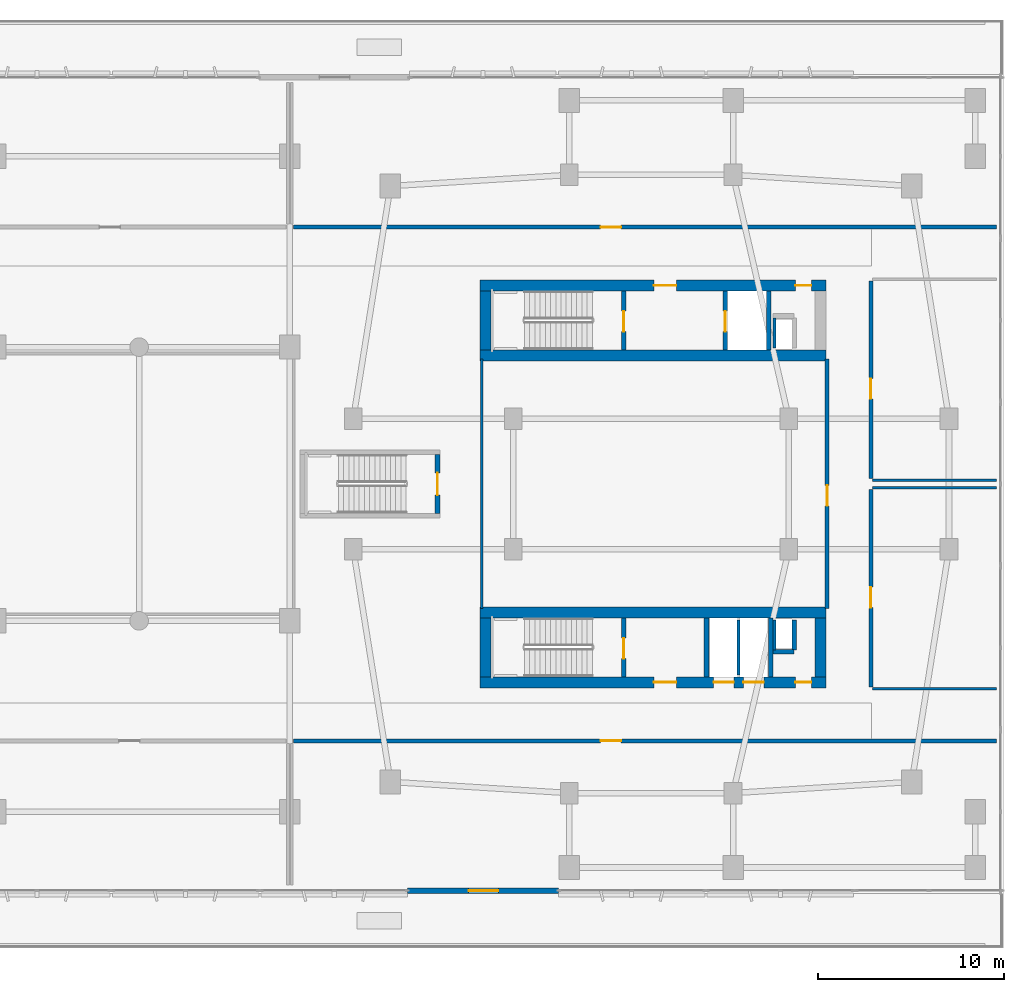
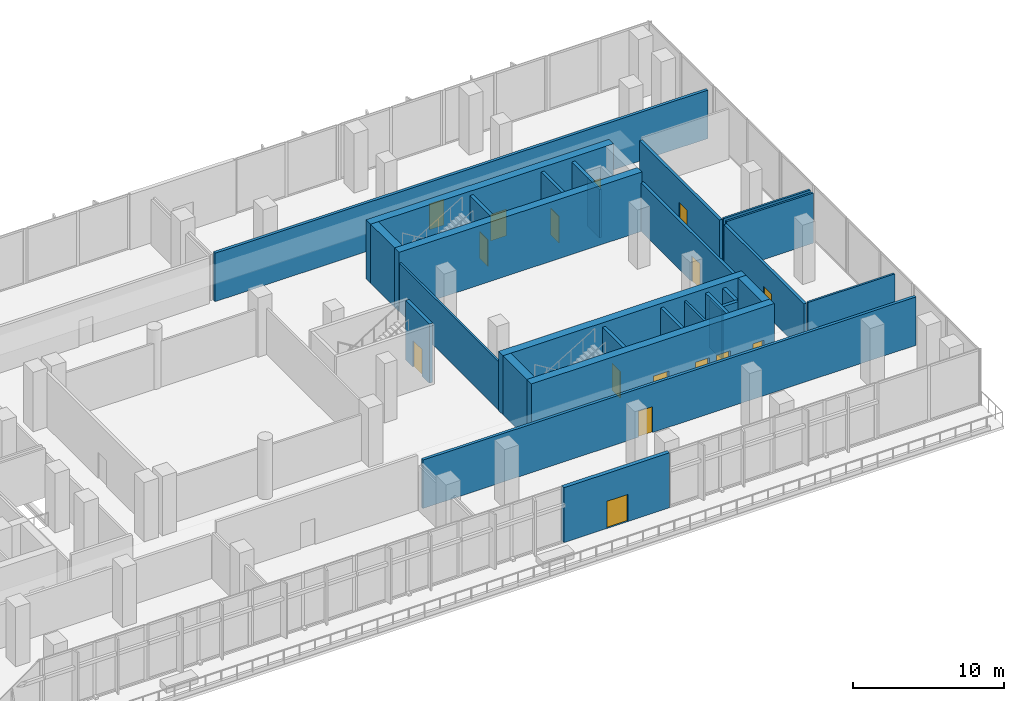
# One storey, part 15 of 30: 29 walls, 16 doors, 16 openings.
"""IFC4 building model written with IfcOpenShell, lengths in metres."""

from ifc_helpers import new_model, si_unit, derived_unit, direction, frame, frame_2d, origin, place, context, subcontext, project, spatial, rectangle, extrude, material, layer, layer_set, type_object, element, fill, save


model = new_model("IFC4")

# Units and contexts
model_context = context("Model", 3, precision=1e-05, world=origin(), true_north=direction((0.0, 1.0)))
body_context = subcontext(model_context, "Body", "Model", "MODEL_VIEW")
ifc_project = project(units=[si_unit("LENGTHUNIT", "METRE"), si_unit("AREAUNIT", "SQUARE_METRE"), si_unit("VOLUMEUNIT", "CUBIC_METRE"), si_unit("PLANEANGLEUNIT", "RADIAN"), si_unit("MASSUNIT", "GRAM", prefix="KILO"), derived_unit("THERMALTRANSMITTANCEUNIT", [(si_unit("POWERUNIT", "WATT"), 1), (si_unit("LENGTHUNIT", "METRE"), -2), (si_unit("THERMODYNAMICTEMPERATUREUNIT", "KELVIN"), -1)])], contexts=[model_context])

# Site, building, storey
site_placement = place(None, origin())
site = spatial("IfcSite", under=ifc_project, at=site_placement, CompositionType="ELEMENT")
building_placement = place(site_placement, origin())
building = spatial("IfcBuilding", under=site, at=building_placement, Name="Kivonza Crest Hotel", CompositionType="ELEMENT")
storey_placement = place(building_placement, frame((0.0, 0.0, 10.199951171875)))
storey = spatial("IfcBuildingStorey", under=building, at=storey_placement, Name="L02", CompositionType="ELEMENT", Elevation=10.199951171875)

# Wall, opening, door
ifc_material_1 = material(Name="Autoclaved aerated concrete blockwork", Category="masonry")
ifc_layer_1 = layer(ifc_material_1, 0.219970703125)
ifc_layer_set_1 = layer_set([ifc_layer_1], Name="Autoclaved aerated concrete blockwork")
wall_type_1 = type_object("IfcWallType", Name="WL-ACOU-220", PredefinedType="SOLIDWALL", material=ifc_layer_set_1)
wall_1_placement = place(storey_placement, frame((57.800048828125, 11.199951171875, 0.0), z_axis=(0.0, 0.0, 1.0), x_axis=(1.0, 0.0, 0.0)))
wall_1 = element("IfcWall", 1, at=wall_1_placement, inside=storey, type_object=wall_type_1, Name="L02 interior partition WA-L02-RES-TER-N", PredefinedType="SOLIDWALL", context=body_context, shape_type="SweptSolid", body=[
    extrude(rectangle(XDim=37.75, YDim=0.219970703125, at=frame_2d((18.875, 0.0))), origin(), (0.0, 0.0, 1.0), 3.925048828125),
])
opening_1_placement = place(wall_1_placement, frame((16.48193359375, 0.0, 0.0)))
opening_1 = element("IfcOpeningElement", 2, at=opening_1_placement, cuts=wall_1, Name="Opening DF-60M", PredefinedType="OPENING", context=body_context, shape_type="SweptSolid", body=[
    extrude(rectangle(XDim=1.10009765625, YDim=2.10009765625, at=frame_2d((0.550048828125, 1.050048828125))), frame((0.0, 0.1201171875, 0.0), z_axis=(0.0, -1.0, 0.0), x_axis=(1.0, 0.0, 0.0)), (0.0, 0.0, 1.0), 0.239990234375),
])
ifc_material_2 = material(Name="Hardwood timber oak", Category="wood")
door_type_1 = type_object("IfcDoorType", Name="DR-FD60-1100", OperationType="NOTDEFINED", PredefinedType="DOOR", material=ifc_material_2)
door_1_placement = place(opening_1_placement, frame((1.10009765625, 0.0, 0.0), z_axis=(0.0, 0.0, 1.0), x_axis=(-1.0, 0.0, 0.0)))
door_1 = element("IfcDoor", 3, at=door_1_placement, inside=storey, type_object=door_type_1, Name="L02 South Terrace Banquet Salon door", OperationType="SINGLE_SWING_RIGHT", OverallHeight=2.10009765625, OverallWidth=1.10009765625, PredefinedType="DOOR", context=body_context, shape_type="SweptSolid", body=[
    extrude(rectangle(XDim=1.10009765625, YDim=2.10009765625, at=frame_2d((0.550048828125, 1.050048828125))), frame((0.0, 0.02490234375, 0.0), z_axis=(0.0, -1.0, 0.0), x_axis=(1.0, 0.0, 0.0)), (0.0, 0.0, 1.0), 0.050048828125),
])
fill(opening_1, door_1)

wall_2_placement = place(storey_placement, frame((57.800048828125, 38.800048828125, 0.0), z_axis=(0.0, 0.0, 1.0), x_axis=(1.0, 0.0, 0.0)))
wall_2 = element("IfcWall", 4, at=wall_2_placement, inside=storey, type_object=wall_type_1, Name="L02 interior partition WA-L02-NTH-SAL2-S", PredefinedType="SOLIDWALL", context=body_context, shape_type="SweptSolid", body=[
    extrude(rectangle(XDim=37.75, YDim=0.219970703125, at=frame_2d((18.875, 0.0))), origin(), (0.0, 0.0, 1.0), 3.925048828125),
])
opening_2_placement = place(wall_2_placement, frame((16.48193359375, 0.0, 0.0)))
opening_2 = element("IfcOpeningElement", 5, at=opening_2_placement, cuts=wall_2, Name="Opening DF-60M", PredefinedType="OPENING", context=body_context, shape_type="SweptSolid", body=[
    extrude(rectangle(XDim=1.10009765625, YDim=2.10009765625, at=frame_2d((0.550048828125, 1.050048828125))), frame((0.0, 0.1201171875, 0.0), z_axis=(0.0, -1.0, 0.0), x_axis=(1.0, 0.0, 0.0)), (0.0, 0.0, 1.0), 0.239990234375),
])
door_2_placement = place(opening_2_placement, origin())
door_2 = element("IfcDoor", 6, at=door_2_placement, inside=storey, type_object=door_type_1, Name="L02 North Terrace Reception East door", OperationType="SINGLE_SWING_LEFT", OverallHeight=2.10009765625, OverallWidth=1.10009765625, PredefinedType="DOOR", context=body_context, shape_type="SweptSolid", body=[
    extrude(rectangle(XDim=1.10009765625, YDim=2.10009765625, at=frame_2d((0.550048828125, 1.050048828125))), frame((0.0, 0.02490234375, 0.0), z_axis=(0.0, -1.0, 0.0), x_axis=(1.0, 0.0, 0.0)), (0.0, 0.0, 1.0), 0.050048828125),
])
fill(opening_2, door_2)

wall_3_placement = place(storey_placement, frame((86.449951171875, 18.300048828125, 0.0), z_axis=(0.0, 0.0, 1.0), x_axis=(0.0, 1.0, 0.0)))
wall_3 = element("IfcWall", 7, at=wall_3_placement, inside=storey, type_object=wall_type_1, Name="L02 interior partition WA-L02-RES-COW-E", PredefinedType="SOLIDWALL", context=body_context, shape_type="SweptSolid", body=[
    extrude(rectangle(XDim=13.39990234375, YDim=0.219970703125, at=frame_2d((6.699951171875, 0.0))), origin(), (0.0, 0.0, 1.0), 3.925048828125),
])
opening_3_placement = place(wall_3_placement, frame((5.52490234375, 0.0, 0.0)))
opening_3 = element("IfcOpeningElement", 8, at=opening_3_placement, cuts=wall_3, Name="Opening DF-60M", PredefinedType="OPENING", context=body_context, shape_type="SweptSolid", body=[
    extrude(rectangle(XDim=1.10009765625, YDim=2.10009765625, at=frame_2d((0.550048828125, 1.050048828125))), frame((0.0, 0.1201171875, 0.0), z_axis=(0.0, -1.0, 0.0), x_axis=(1.0, 0.0, 0.0)), (0.0, 0.0, 1.0), 0.239990234375),
])
door_3_placement = place(opening_3_placement, origin())
door_3 = element("IfcDoor", 9, at=door_3_placement, inside=storey, type_object=door_type_1, Name="L02 Resident Co-Working Suite door", OperationType="SINGLE_SWING_LEFT", OverallHeight=2.10009765625, OverallWidth=1.10009765625, PredefinedType="DOOR", context=body_context, shape_type="SweptSolid", body=[
    extrude(rectangle(XDim=1.10009765625, YDim=2.10009765625, at=frame_2d((0.550048828125, 1.050048828125))), frame((0.0, 0.02490234375, 0.0), z_axis=(0.0, -1.0, 0.0), x_axis=(1.0, 0.0, 0.0)), (0.0, 0.0, 1.0), 0.050048828125),
])
fill(opening_3, door_3)

wall_4_placement = place(storey_placement, frame((88.800048828125, 14.10009765625, 0.0), z_axis=(0.0, 0.0, 1.0), x_axis=(0.0, 1.0, 0.0)))
wall_4 = element("IfcWall", 10, at=wall_4_placement, inside=storey, type_object=wall_type_1, Name="L02 interior partition WA-L02-E-GAL2S-W", PredefinedType="SOLIDWALL", context=body_context, shape_type="SweptSolid", body=[
    extrude(rectangle(XDim=10.599853515625, YDim=0.219970703125, at=frame_2d((5.2998046875, 0.0))), origin(), (0.0, 0.0, 1.0), 3.925048828125),
])
opening_4_placement = place(wall_4_placement, frame((4.264892578125, 0.0, 0.0)))
opening_4 = element("IfcOpeningElement", 11, at=opening_4_placement, cuts=wall_4, Name="Opening DF-60M", PredefinedType="OPENING", context=body_context, shape_type="SweptSolid", body=[
    extrude(rectangle(XDim=1.10009765625, YDim=2.10009765625, at=frame_2d((0.550048828125, 1.050048828125))), frame((0.0, 0.1201171875, 0.0), z_axis=(0.0, -1.0, 0.0), x_axis=(1.0, 0.0, 0.0)), (0.0, 0.0, 1.0), 0.239990234375),
])
door_4_placement = place(opening_4_placement, frame((1.10009765625, 0.0, 0.0), z_axis=(0.0, 0.0, 1.0), x_axis=(-1.0, 0.0, 0.0)))
door_4 = element("IfcDoor", 12, at=door_4_placement, inside=storey, type_object=door_type_1, Name="L02 East Podium Reading Salon door", OperationType="SINGLE_SWING_LEFT", OverallHeight=2.10009765625, OverallWidth=1.10009765625, PredefinedType="DOOR", context=body_context, shape_type="SweptSolid", body=[
    extrude(rectangle(XDim=1.10009765625, YDim=2.10009765625, at=frame_2d((0.550048828125, 1.050048828125))), frame((0.0, 0.02490234375, 0.0), z_axis=(0.0, -1.0, 0.0), x_axis=(1.0, 0.0, 0.0)), (0.0, 0.0, 1.0), 0.050048828125),
])
fill(opening_4, door_4)

wall_5_placement = place(storey_placement, frame((88.800048828125, 25.300048828125, 0.0), z_axis=(0.0, 0.0, 1.0), x_axis=(0.0, 1.0, 0.0)))
wall_5 = element("IfcWall", 13, at=wall_5_placement, inside=storey, type_object=wall_type_1, Name="L02 interior partition WA-L02-E-GAL2N-W", PredefinedType="SOLIDWALL", context=body_context, shape_type="SweptSolid", body=[
    extrude(rectangle(XDim=10.599853515625, YDim=0.219970703125, at=frame_2d((5.2998046875, 0.0))), origin(), (0.0, 0.0, 1.0), 3.925048828125),
])
opening_5_placement = place(wall_5_placement, frame((4.264892578125, 0.0, 0.0)))
opening_5 = element("IfcOpeningElement", 14, at=opening_5_placement, cuts=wall_5, Name="Opening DF-60M", PredefinedType="OPENING", context=body_context, shape_type="SweptSolid", body=[
    extrude(rectangle(XDim=1.10009765625, YDim=2.10009765625, at=frame_2d((0.550048828125, 1.050048828125))), frame((0.0, 0.1201171875, 0.0), z_axis=(0.0, -1.0, 0.0), x_axis=(1.0, 0.0, 0.0)), (0.0, 0.0, 1.0), 0.239990234375),
])
door_5_placement = place(opening_5_placement, frame((1.10009765625, 0.0, 0.0), z_axis=(0.0, 0.0, 1.0), x_axis=(-1.0, 0.0, 0.0)))
door_5 = element("IfcDoor", 15, at=door_5_placement, inside=storey, type_object=door_type_1, Name="L02 East Podium Tea Salon door", OperationType="SINGLE_SWING_RIGHT", OverallHeight=2.10009765625, OverallWidth=1.10009765625, PredefinedType="DOOR", context=body_context, shape_type="SweptSolid", body=[
    extrude(rectangle(XDim=1.10009765625, YDim=2.10009765625, at=frame_2d((0.550048828125, 1.050048828125))), frame((0.0, 0.02490234375, 0.0), z_axis=(0.0, -1.0, 0.0), x_axis=(1.0, 0.0, 0.0)), (0.0, 0.0, 1.0), 0.050048828125),
])
fill(opening_5, door_5)

# Wall
ifc_material_3 = material(Name="Concrete C60/75", Category="concrete")
ifc_layer_2 = layer(ifc_material_3, 0.60009765625)
ifc_layer_set_2 = layer_set([ifc_layer_2], Name="Concrete C60/75")
wall_type_2 = type_object("IfcWallType", Name="WL-CORE-600", PredefinedType="SHEAR", material=ifc_layer_set_2)
wall_6_placement = place(storey_placement, frame((67.800048828125, 31.89990234375, 0.0), z_axis=(0.0, 0.0, 1.0), x_axis=(1.0, 0.0, 0.0)))
element("IfcWall", 16, at=wall_6_placement, inside=storey, type_object=wall_type_2, Name="Core wall T2-N South L02", PredefinedType="SHEAR", context=body_context, shape_type="SweptSolid", body=[
    extrude(rectangle(XDim=18.599853515625, YDim=0.60009765625, at=frame_2d((9.2998046875, 0.0))), origin(), (0.0, 0.0, 1.0), 4.800048828125),
])

# Wall, openings, doors
wall_7_placement = place(storey_placement, frame((67.800048828125, 35.659912109375, 0.0), z_axis=(0.0, 0.0, 1.0), x_axis=(1.0, 0.0, 0.0)))
wall_7 = element("IfcWall", 17, at=wall_7_placement, inside=storey, type_object=wall_type_2, Name="Core wall T2-N North L02", PredefinedType="SHEAR", context=body_context, shape_type="SweptSolid", body=[
    extrude(rectangle(XDim=18.599853515625, YDim=0.60009765625, at=frame_2d((9.2998046875, 0.0))), origin(), (0.0, 0.0, 1.0), 4.800048828125),
])
opening_6_placement = place(wall_7_placement, frame((9.35009765625, 0.0, 0.0)))
opening_6 = element("IfcOpeningElement", 18, at=opening_6_placement, cuts=wall_7, Name="Opening DF-60", PredefinedType="OPENING", context=body_context, shape_type="SweptSolid", body=[
    extrude(rectangle(XDim=1.199951171875, YDim=2.14990234375, at=frame_2d((0.60009765625, 1.074951171875))), frame((0.0, 0.31005859375, 0.0), z_axis=(0.0, -1.0, 0.0), x_axis=(1.0, 0.0, 0.0)), (0.0, 0.0, 1.0), 0.6201171875),
])
opening_7_placement = place(wall_7_placement, frame((16.949951171875, 0.0, 0.0)))
opening_7 = element("IfcOpeningElement", 19, at=opening_7_placement, cuts=wall_7, Name="Opening DF-60R", PredefinedType="OPENING", context=body_context, shape_type="SweptSolid", body=[
    extrude(rectangle(XDim=0.85009765625, YDim=2.10009765625, at=frame_2d((0.425048828125, 1.050048828125))), frame((0.0, 0.31005859375, 0.0), z_axis=(0.0, -1.0, 0.0), x_axis=(1.0, 0.0, 0.0)), (0.0, 0.0, 1.0), 0.6201171875),
])
door_type_2 = type_object("IfcDoorType", Name="DR-FD60-1200", OperationType="NOTDEFINED", PredefinedType="DOOR", material=ifc_material_2)
door_6_placement = place(opening_6_placement, origin())
door_6 = element("IfcDoor", 20, at=door_6_placement, inside=storey, type_object=door_type_2, Name="L02 T2-N firefighting lobby fire door", OperationType="SINGLE_SWING_RIGHT", OverallHeight=2.14990234375, OverallWidth=1.199951171875, PredefinedType="DOOR", context=body_context, shape_type="SweptSolid", body=[
    extrude(rectangle(XDim=1.199951171875, YDim=2.14990234375, at=frame_2d((0.60009765625, 1.074951171875))), frame((0.0, 0.02490234375, 0.0), z_axis=(0.0, -1.0, 0.0), x_axis=(1.0, 0.0, 0.0)), (0.0, 0.0, 1.0), 0.050048828125),
])
fill(opening_6, door_6)
door_type_3 = type_object("IfcDoorType", Name="DR-FD60-850", OperationType="NOTDEFINED", PredefinedType="DOOR", material=ifc_material_2)
door_7_placement = place(opening_7_placement, origin())
door_7 = element("IfcDoor", 21, at=door_7_placement, inside=storey, type_object=door_type_3, Name="L02 T2-N core room door", OperationType="SINGLE_SWING_RIGHT", OverallHeight=2.10009765625, OverallWidth=0.85009765625, PredefinedType="DOOR", context=body_context, shape_type="SweptSolid", body=[
    extrude(rectangle(XDim=0.85009765625, YDim=2.10009765625, at=frame_2d((0.425048828125, 1.050048828125))), frame((0.0, 0.02490234375, 0.0), z_axis=(0.0, -1.0, 0.0), x_axis=(1.0, 0.0, 0.0)), (0.0, 0.0, 1.0), 0.050048828125),
])
fill(opening_7, door_7)

# Wall
wall_8_placement = place(storey_placement, frame((68.10009765625, 32.199951171875, 0.0), z_axis=(0.0, 0.0, 1.0), x_axis=(0.0, 1.0, 0.0)))
element("IfcWall", 22, at=wall_8_placement, inside=storey, type_object=wall_type_2, Name="Core wall T2-N West L02", PredefinedType="SHEAR", context=body_context, shape_type="SweptSolid", body=[
    extrude(rectangle(XDim=3.16015625, YDim=0.60009765625, at=frame_2d((1.580078125, 0.0))), origin(), (0.0, 0.0, 1.0), 4.800048828125),
])

# Wall, openings, doors
wall_9_placement = place(storey_placement, frame((67.800048828125, 14.340087890625, 0.0), z_axis=(0.0, 0.0, 1.0), x_axis=(1.0, 0.0, 0.0)))
wall_9 = element("IfcWall", 23, at=wall_9_placement, inside=storey, type_object=wall_type_2, Name="Core wall T2-S South L02", PredefinedType="SHEAR", context=body_context, shape_type="SweptSolid", body=[
    extrude(rectangle(XDim=18.599853515625, YDim=0.60009765625, at=frame_2d((9.2998046875, 0.0))), origin(), (0.0, 0.0, 1.0), 4.800048828125),
])
opening_8_placement = place(wall_9_placement, frame((9.35009765625, 0.0, 0.0)))
opening_8 = element("IfcOpeningElement", 24, at=opening_8_placement, cuts=wall_9, Name="Opening DF-60", PredefinedType="OPENING", context=body_context, shape_type="SweptSolid", body=[
    extrude(rectangle(XDim=1.199951171875, YDim=2.14990234375, at=frame_2d((0.60009765625, 1.074951171875))), frame((0.0, 0.31005859375, 0.0), z_axis=(0.0, -1.0, 0.0), x_axis=(1.0, 0.0, 0.0)), (0.0, 0.0, 1.0), 0.6201171875),
])
opening_9_placement = place(wall_9_placement, frame((16.949951171875, 0.0, 0.0)))
opening_9 = element("IfcOpeningElement", 25, at=opening_9_placement, cuts=wall_9, Name="Opening DF-60R", PredefinedType="OPENING", context=body_context, shape_type="SweptSolid", body=[
    extrude(rectangle(XDim=0.85009765625, YDim=2.10009765625, at=frame_2d((0.425048828125, 1.050048828125))), frame((0.0, 0.31005859375, 0.0), z_axis=(0.0, -1.0, 0.0), x_axis=(1.0, 0.0, 0.0)), (0.0, 0.0, 1.0), 0.6201171875),
])
opening_10_placement = place(wall_9_placement, frame((12.550048828125, 0.0, 0.0)))
opening_10 = element("IfcOpeningElement", 26, at=opening_10_placement, cuts=wall_9, Name="Opening LD-120", PredefinedType="OPENING", context=body_context, shape_type="SweptSolid", body=[
    extrude(rectangle(XDim=1.10009765625, YDim=2.14990234375, at=frame_2d((0.550048828125, 1.074951171875))), frame((0.0, 0.31005859375, 0.0), z_axis=(0.0, -1.0, 0.0), x_axis=(1.0, 0.0, 0.0)), (0.0, 0.0, 1.0), 0.6201171875),
])
opening_11_placement = place(wall_9_placement, frame((14.14990234375, 0.0, 0.0)))
opening_11 = element("IfcOpeningElement", 27, at=opening_11_placement, cuts=wall_9, Name="Opening LD-120", PredefinedType="OPENING", context=body_context, shape_type="SweptSolid", body=[
    extrude(rectangle(XDim=1.10009765625, YDim=2.14990234375, at=frame_2d((0.550048828125, 1.074951171875))), frame((0.0, 0.31005859375, 0.0), z_axis=(0.0, -1.0, 0.0), x_axis=(1.0, 0.0, 0.0)), (0.0, 0.0, 1.0), 0.6201171875),
])
door_8_placement = place(opening_8_placement, frame((1.199951171875, 0.0, 0.0), z_axis=(0.0, 0.0, 1.0), x_axis=(-1.0, 0.0, 0.0)))
door_8 = element("IfcDoor", 28, at=door_8_placement, inside=storey, type_object=door_type_2, Name="L02 T2-S firefighting lobby fire door", OperationType="SINGLE_SWING_LEFT", OverallHeight=2.14990234375, OverallWidth=1.199951171875, PredefinedType="DOOR", context=body_context, shape_type="SweptSolid", body=[
    extrude(rectangle(XDim=1.199951171875, YDim=2.14990234375, at=frame_2d((0.60009765625, 1.074951171875))), frame((0.0, 0.02490234375, 0.0), z_axis=(0.0, -1.0, 0.0), x_axis=(1.0, 0.0, 0.0)), (0.0, 0.0, 1.0), 0.050048828125),
])
fill(opening_8, door_8)
door_9_placement = place(opening_9_placement, frame((0.85009765625, 0.0, 0.0), z_axis=(0.0, 0.0, 1.0), x_axis=(-1.0, 0.0, 0.0)))
door_9 = element("IfcDoor", 29, at=door_9_placement, inside=storey, type_object=door_type_3, Name="L02 T2-S core room door", OperationType="SINGLE_SWING_RIGHT", OverallHeight=2.10009765625, OverallWidth=0.85009765625, PredefinedType="DOOR", context=body_context, shape_type="SweptSolid", body=[
    extrude(rectangle(XDim=0.85009765625, YDim=2.10009765625, at=frame_2d((0.425048828125, 1.050048828125))), frame((0.0, 0.02490234375, 0.0), z_axis=(0.0, -1.0, 0.0), x_axis=(1.0, 0.0, 0.0)), (0.0, 0.0, 1.0), 0.050048828125),
])
fill(opening_9, door_9)
ifc_material_4 = material(Name="Stainless steel", Category="steel")
door_type_4 = type_object("IfcDoorType", Name="DR-LD120-1100", OperationType="NOTDEFINED", PredefinedType="DOOR", material=ifc_material_4)
door_10_placement = place(opening_10_placement, frame((1.10009765625, 0.0, 0.0), z_axis=(0.0, 0.0, 1.0), x_axis=(-1.0, 0.0, 0.0)))
door_10 = element("IfcDoor", 30, at=door_10_placement, inside=storey, type_object=door_type_4, Name="L02 PL-T2-1 passenger lift sliding landing door", OperationType="DOUBLE_DOOR_SLIDING", OverallHeight=2.14990234375, OverallWidth=1.10009765625, PredefinedType="DOOR", context=body_context, shape_type="SweptSolid", body=[
    extrude(rectangle(XDim=1.10009765625, YDim=2.14990234375, at=frame_2d((0.550048828125, 1.074951171875))), frame((0.0, 0.02490234375, 0.0), z_axis=(0.0, -1.0, 0.0), x_axis=(1.0, 0.0, 0.0)), (0.0, 0.0, 1.0), 0.050048828125),
])
fill(opening_10, door_10)
door_11_placement = place(opening_11_placement, frame((1.10009765625, 0.0, 0.0), z_axis=(0.0, 0.0, 1.0), x_axis=(-1.0, 0.0, 0.0)))
door_11 = element("IfcDoor", 31, at=door_11_placement, inside=storey, type_object=door_type_4, Name="L02 PL-T2-2 passenger lift sliding landing door", OperationType="DOUBLE_DOOR_SLIDING", OverallHeight=2.14990234375, OverallWidth=1.10009765625, PredefinedType="DOOR", context=body_context, shape_type="SweptSolid", body=[
    extrude(rectangle(XDim=1.10009765625, YDim=2.14990234375, at=frame_2d((0.550048828125, 1.074951171875))), frame((0.0, 0.02490234375, 0.0), z_axis=(0.0, -1.0, 0.0), x_axis=(1.0, 0.0, 0.0)), (0.0, 0.0, 1.0), 0.050048828125),
])
fill(opening_11, door_11)

# Walls
wall_10_placement = place(storey_placement, frame((67.800048828125, 18.10009765625, 0.0), z_axis=(0.0, 0.0, 1.0), x_axis=(1.0, 0.0, 0.0)))
element("IfcWall", 32, at=wall_10_placement, inside=storey, type_object=wall_type_2, Name="Core wall T2-S North L02", PredefinedType="SHEAR", context=body_context, shape_type="SweptSolid", body=[
    extrude(rectangle(XDim=18.599853515625, YDim=0.60009765625, at=frame_2d((9.2998046875, 0.0))), origin(), (0.0, 0.0, 1.0), 4.800048828125),
])
for number, where, z_axis, x_axis, name in (
    (33, (68.10009765625, 14.639892578125, 0.0), (0.0, 0.0, 1.0), (0.0, 1.0, 0.0), "Core wall T2-S West L02"),
    (34, (86.10009765625, 14.639892578125, 0.0), (0.0, 0.0, 1.0), (0.0, 1.0, 0.0), "Core wall T2-S East L02"),
):
    element("IfcWall", number, at=place(storey_placement, frame(where, z_axis=z_axis, x_axis=x_axis)), inside=storey, type_object=wall_type_2, Name=name, PredefinedType="SHEAR", context=body_context, shape_type="SweptSolid", body=[
        extrude(rectangle(XDim=3.16015625, YDim=0.60009765625, at=frame_2d((1.580078125, 0.0))), origin(), (0.0, 0.0, 1.0), 4.800048828125),
    ])

# Wall, opening, door
ifc_material_5 = material(Name="Precast concrete C40/50", Category="concrete")
ifc_layer_3 = layer(ifc_material_5, 0.300048828125)
ifc_layer_set_3 = layer_set([ifc_layer_3], Name="Precast concrete C40/50")
wall_type_3 = type_object("IfcWallType", Name="WL-EXT-300", PredefinedType="STANDARD", material=ifc_layer_set_3)
wall_11_placement = place(storey_placement, frame((63.91796875, 3.14990234375, 0.0), z_axis=(0.0, 0.0, 1.0), x_axis=(1.0, 0.0, 0.0)))
wall_11 = element("IfcWall", 35, at=wall_11_placement, inside=storey, type_object=wall_type_3, Name="L02 POD exterior insulated wall 9", PredefinedType="STANDARD", context=body_context, shape_type="SweptSolid", body=[
    extrude(rectangle(XDim=8.096923828125, YDim=0.300048828125, at=frame_2d((4.04833984375, 0.0))), origin(), (0.0, 0.0, 1.0), 4.449951171875),
])
opening_12_placement = place(wall_11_placement, frame((3.281982421875, 0.0, 0.0)))
opening_12 = element("IfcOpeningElement", 36, at=opening_12_placement, cuts=wall_11, Name="Opening DT-160", PredefinedType="OPENING", context=body_context, shape_type="SweptSolid", body=[
    extrude(rectangle(XDim=1.60009765625, YDim=2.199951171875, at=frame_2d((0.800048828125, 1.10009765625))), frame((0.0, 0.16015625, 0.0), z_axis=(0.0, -1.0, 0.0), x_axis=(1.0, 0.0, 0.0)), (0.0, 0.0, 1.0), 0.320068359375),
])
ifc_material_6 = material(Name="Anodised bronze aluminium and laminated safety glass", Category="aluminium")
door_type_5 = type_object("IfcDoorType", Name="DR-TERR-1600", OperationType="NOTDEFINED", PredefinedType="DOOR", material=ifc_material_6)
door_12_placement = place(opening_12_placement, frame((1.60009765625, 0.0, 0.0), z_axis=(0.0, 0.0, 1.0), x_axis=(-1.0, 0.0, 0.0)))
door_12 = element("IfcDoor", 37, at=door_12_placement, inside=storey, type_object=door_type_5, Name="L02 South podium terrace access door", OperationType="DOUBLE_DOOR_SINGLE_SWING", OverallHeight=2.199951171875, OverallWidth=1.60009765625, PredefinedType="DOOR", context=body_context, shape_type="SweptSolid", body=[
    extrude(rectangle(XDim=1.60009765625, YDim=2.199951171875, at=frame_2d((0.800048828125, 1.10009765625))), frame((0.0, 0.02490234375, 0.0), z_axis=(0.0, -1.0, 0.0), x_axis=(1.0, 0.0, 0.0)), (0.0, 0.0, 1.0), 0.050048828125),
])
fill(opening_12, door_12)

# Walls
ifc_material_7 = material(Name="Concrete blockwork fire-compartment wall", Category="masonry")
ifc_layer_4 = layer(ifc_material_7, 0.25)
ifc_layer_set_4 = layer_set([ifc_layer_4], Name="Concrete blockwork fire-compartment wall")
wall_type_4 = type_object("IfcWallType", Name="WL-FIRE-250", PredefinedType="SOLIDWALL", material=ifc_layer_set_4)
wall_12_placement = place(storey_placement, frame((84.679931640625, 16.080078125, 0.0), z_axis=(0.0, 0.0, 1.0), x_axis=(0.0, 1.0, 0.0)))
element("IfcWall", 38, at=wall_12_placement, inside=storey, type_object=wall_type_4, Name="L02 interior partition WA-L02-T2-S-MEPR-E", PredefinedType="SOLIDWALL", context=body_context, shape_type="SweptSolid", body=[
    extrude(rectangle(XDim=1.619873046875, YDim=0.25, at=frame_2d((0.81005859375, 0.0))), origin(), (0.0, 0.0, 1.0), 4.449951171875),
])
wall_13_placement = place(storey_placement, frame((83.550048828125, 15.97998046875, 0.0), z_axis=(0.0, 0.0, 1.0), x_axis=(1.0, 0.0, 0.0)))
element("IfcWall", 39, at=wall_13_placement, inside=storey, type_object=wall_type_4, Name="L02 interior partition WA-L02-T2-S-MEPR-H", PredefinedType="SOLIDWALL", context=body_context, shape_type="SweptSolid", body=[
    extrude(rectangle(XDim=1.1298828125, YDim=0.25, at=frame_2d((0.56494140625, 0.0))), origin(), (0.0, 0.0, 1.0), 4.449951171875),
])
ifc_material_8 = material(Name="Twin-stud acoustic gypsum board partition", Category="gypsum")
ifc_layer_5 = layer(ifc_material_8, 0.14990234375)
ifc_layer_set_5 = layer_set([ifc_layer_5], Name="Twin-stud acoustic gypsum board partition")
wall_type_5 = type_object("IfcWallType", Name="WL-PART-150", PredefinedType="PARTITIONING", material=ifc_layer_set_5)
for number, where, z_axis, x_axis, name in (
    (40, (83.6298828125, 32.300048828125, 0.0), (0.0, 0.0, 1.0), (0.0, 1.0, 0.0), "L02 interior partition WA-L02-T2-N-MEPR-W"),
    (41, (83.6298828125, 16.080078125, 0.0), (0.0, 0.0, 1.0), (0.0, 1.0, 0.0), "L02 interior partition WA-L02-T2-S-MEPR-W"),
):
    element("IfcWall", number, at=place(storey_placement, frame(where, z_axis=z_axis, x_axis=x_axis)), inside=storey, type_object=wall_type_5, Name=name, PredefinedType="PARTITIONING", context=body_context, shape_type="SweptSolid", body=[
        extrude(rectangle(XDim=1.619873046875, YDim=0.14990234375, at=frame_2d((0.81005859375, 0.0))), origin(), (0.0, 0.0, 1.0), 3.925048828125),
    ])
wall_14_placement = place(storey_placement, frame((81.699951171875, 14.739990234375, 0.0), z_axis=(0.0, 0.0, 1.0), x_axis=(0.0, 1.0, 0.0)))
element("IfcWall", 42, at=wall_14_placement, inside=storey, type_object=wall_type_5, Name="L02 interior partition WP-L02-T2-S-BSH-1", PredefinedType="PARTITIONING", context=body_context, shape_type="SweptSolid", body=[
    extrude(rectangle(XDim=2.9599609375, YDim=0.14990234375, at=frame_2d((1.47998046875, 0.0))), origin(), (0.0, 0.0, 1.0), 4.449951171875),
])
wall_15_placement = place(storey_placement, frame((67.89990234375, 18.300048828125, 0.0), z_axis=(0.0, 0.0, 1.0), x_axis=(0.0, 1.0, 0.0)))
element("IfcWall", 43, at=wall_15_placement, inside=storey, type_object=wall_type_5, Name="L02 interior partition WP-L02-RES-COW-BW", PredefinedType="PARTITIONING", context=body_context, shape_type="SweptSolid", body=[
    extrude(rectangle(XDim=13.39990234375, YDim=0.14990234375, at=frame_2d((6.699951171875, 0.0))), origin(), (0.0, 0.0, 1.0), 3.925048828125),
])
for number, where, z_axis, x_axis, name in (
    (44, (88.89990234375, 14.0, 0.0), (0.0, 0.0, 1.0), (1.0, 0.0, 0.0), "L02 interior partition WP-L02-E-GAL2S-BS"),
    (45, (88.89990234375, 24.800048828125, 0.0), (0.0, 0.0, 1.0), (1.0, 0.0, 0.0), "L02 interior partition WP-L02-E-GAL2S-BN"),
    (46, (88.89990234375, 25.199951171875, 0.0), (0.0, 0.0, 1.0), (1.0, 0.0, 0.0), "L02 interior partition WP-L02-E-GAL2N-BS"),
):
    element("IfcWall", number, at=place(storey_placement, frame(where, z_axis=z_axis, x_axis=x_axis)), inside=storey, type_object=wall_type_5, Name=name, PredefinedType="PARTITIONING", context=body_context, shape_type="SweptSolid", body=[
        extrude(rectangle(XDim=6.650146484375, YDim=0.14990234375, at=frame_2d((3.3251953125, 0.0))), origin(), (0.0, 0.0, 1.0), 4.06494140625),
    ])

# Wall, opening, door
ifc_material_9 = material(Name="Concrete C50/60", Category="concrete")
ifc_layer_6 = layer(ifc_material_9, 0.25)
ifc_layer_set_6 = layer_set([ifc_layer_6], Name="Concrete C50/60")
wall_type_6 = type_object("IfcWallType", Name="WL-SHAFT-250", PredefinedType="STANDARD", material=ifc_layer_set_6)
wall_16_placement = place(storey_placement, frame((75.52490234375, 32.199951171875, 0.0), z_axis=(0.0, 0.0, 1.0), x_axis=(0.0, 1.0, 0.0)))
wall_16 = element("IfcWall", 47, at=wall_16_placement, inside=storey, type_object=wall_type_6, Name="Core shaft wall T2-N STAIR L02", PredefinedType="STANDARD", context=body_context, shape_type="SweptSolid", body=[
    extrude(rectangle(XDim=3.16015625, YDim=0.25, at=frame_2d((1.580078125, 0.0))), origin(), (0.0, 0.0, 1.0), 4.449951171875),
])
opening_13_placement = place(wall_16_placement, frame((0.97998046875, 0.0, 0.0)))
opening_13 = element("IfcOpeningElement", 48, at=opening_13_placement, cuts=wall_16, Name="Opening DF-120", PredefinedType="OPENING", context=body_context, shape_type="SweptSolid", body=[
    extrude(rectangle(XDim=1.10009765625, YDim=2.14990234375, at=frame_2d((0.550048828125, 1.074951171875))), frame((0.0, 0.135009765625, 0.0), z_axis=(0.0, -1.0, 0.0), x_axis=(1.0, 0.0, 0.0)), (0.0, 0.0, 1.0), 0.27001953125),
])
ifc_material_10 = material(Name="Galvanised steel", Category="steel")
door_type_6 = type_object("IfcDoorType", Name="DR-FD120-1100", OperationType="NOTDEFINED", PredefinedType="DOOR", material=ifc_material_10)
door_13_placement = place(opening_13_placement, frame((1.10009765625, 0.0, 0.0), z_axis=(0.0, 0.0, 1.0), x_axis=(-1.0, 0.0, 0.0)))
door_13 = element("IfcDoor", 49, at=door_13_placement, inside=storey, type_object=door_type_6, Name="L02 T2-N stair fire door", OperationType="SINGLE_SWING_LEFT", OverallHeight=2.14990234375, OverallWidth=1.10009765625, PredefinedType="DOOR", context=body_context, shape_type="SweptSolid", body=[
    extrude(rectangle(XDim=1.10009765625, YDim=2.14990234375, at=frame_2d((0.550048828125, 1.074951171875))), frame((0.0, 0.02490234375, 0.0), z_axis=(0.0, -1.0, 0.0), x_axis=(1.0, 0.0, 0.0)), (0.0, 0.0, 1.0), 0.050048828125),
])
fill(opening_13, door_13)

wall_17_placement = place(storey_placement, frame((80.97509765625, 32.199951171875, 0.0), z_axis=(0.0, 0.0, 1.0), x_axis=(0.0, 1.0, 0.0)))
wall_17 = element("IfcWall", 50, at=wall_17_placement, inside=storey, type_object=wall_type_6, Name="Core shaft wall T2-N FFL-W L02", PredefinedType="STANDARD", context=body_context, shape_type="SweptSolid", body=[
    extrude(rectangle(XDim=3.16015625, YDim=0.25, at=frame_2d((1.580078125, 0.0))), origin(), (0.0, 0.0, 1.0), 4.449951171875),
])
opening_14_placement = place(wall_17_placement, frame((0.97998046875, 0.0, 0.0)))
opening_14 = element("IfcOpeningElement", 51, at=opening_14_placement, cuts=wall_17, Name="Opening LD-120", PredefinedType="OPENING", context=body_context, shape_type="SweptSolid", body=[
    extrude(rectangle(XDim=1.10009765625, YDim=2.14990234375, at=frame_2d((0.550048828125, 1.074951171875))), frame((0.0, 0.135009765625, 0.0), z_axis=(0.0, -1.0, 0.0), x_axis=(1.0, 0.0, 0.0)), (0.0, 0.0, 1.0), 0.27001953125),
])
door_14_placement = place(opening_14_placement, origin())
door_14 = element("IfcDoor", 52, at=door_14_placement, inside=storey, type_object=door_type_4, Name="L02 FFL-T2 firefighting lift sliding landing door", OperationType="DOUBLE_DOOR_SLIDING", OverallHeight=2.14990234375, OverallWidth=1.10009765625, PredefinedType="DOOR", context=body_context, shape_type="SweptSolid", body=[
    extrude(rectangle(XDim=1.10009765625, YDim=2.14990234375, at=frame_2d((0.550048828125, 1.074951171875))), frame((0.0, 0.02490234375, 0.0), z_axis=(0.0, -1.0, 0.0), x_axis=(1.0, 0.0, 0.0)), (0.0, 0.0, 1.0), 0.050048828125),
])
fill(opening_14, door_14)

# Wall
wall_18_placement = place(storey_placement, frame((83.324951171875, 32.199951171875, 0.0), z_axis=(0.0, 0.0, 1.0), x_axis=(0.0, 1.0, 0.0)))
element("IfcWall", 53, at=wall_18_placement, inside=storey, type_object=wall_type_6, Name="Core shaft wall T2-N FFL-E L02", PredefinedType="STANDARD", context=body_context, shape_type="SweptSolid", body=[
    extrude(rectangle(XDim=3.16015625, YDim=0.25, at=frame_2d((1.580078125, 0.0))), origin(), (0.0, 0.0, 1.0), 4.449951171875),
])

# Wall, opening, door
wall_19_placement = place(storey_placement, frame((75.52490234375, 14.639892578125, 0.0), z_axis=(0.0, 0.0, 1.0), x_axis=(0.0, 1.0, 0.0)))
wall_19 = element("IfcWall", 54, at=wall_19_placement, inside=storey, type_object=wall_type_6, Name="Core shaft wall T2-S STAIR L02", PredefinedType="STANDARD", context=body_context, shape_type="SweptSolid", body=[
    extrude(rectangle(XDim=3.16015625, YDim=0.25, at=frame_2d((1.580078125, 0.0))), origin(), (0.0, 0.0, 1.0), 4.449951171875),
])
opening_15_placement = place(wall_19_placement, frame((0.97998046875, 0.0, 0.0)))
opening_15 = element("IfcOpeningElement", 55, at=opening_15_placement, cuts=wall_19, Name="Opening DF-120", PredefinedType="OPENING", context=body_context, shape_type="SweptSolid", body=[
    extrude(rectangle(XDim=1.10009765625, YDim=2.14990234375, at=frame_2d((0.550048828125, 1.074951171875))), frame((0.0, 0.135009765625, 0.0), z_axis=(0.0, -1.0, 0.0), x_axis=(1.0, 0.0, 0.0)), (0.0, 0.0, 1.0), 0.27001953125),
])
door_15_placement = place(opening_15_placement, frame((1.10009765625, 0.0, 0.0), z_axis=(0.0, 0.0, 1.0), x_axis=(-1.0, 0.0, 0.0)))
door_15 = element("IfcDoor", 56, at=door_15_placement, inside=storey, type_object=door_type_6, Name="L02 T2-S stair fire door", OperationType="SINGLE_SWING_RIGHT", OverallHeight=2.14990234375, OverallWidth=1.10009765625, PredefinedType="DOOR", context=body_context, shape_type="SweptSolid", body=[
    extrude(rectangle(XDim=1.10009765625, YDim=2.14990234375, at=frame_2d((0.550048828125, 1.074951171875))), frame((0.0, 0.02490234375, 0.0), z_axis=(0.0, -1.0, 0.0), x_axis=(1.0, 0.0, 0.0)), (0.0, 0.0, 1.0), 0.050048828125),
])
fill(opening_15, door_15)

# Walls
for number, where, z_axis, x_axis, name in (
    (57, (79.97509765625, 14.639892578125, 0.0), (0.0, 0.0, 1.0), (0.0, 1.0, 0.0), "Core shaft wall T2-S BANK-W L02"),
    (58, (83.425048828125, 14.639892578125, 0.0), (0.0, 0.0, 1.0), (0.0, 1.0, 0.0), "Core shaft wall T2-S BANK-E L02"),
):
    element("IfcWall", number, at=place(storey_placement, frame(where, z_axis=z_axis, x_axis=x_axis)), inside=storey, type_object=wall_type_6, Name=name, PredefinedType="STANDARD", context=body_context, shape_type="SweptSolid", body=[
        extrude(rectangle(XDim=3.16015625, YDim=0.25, at=frame_2d((1.580078125, 0.0))), origin(), (0.0, 0.0, 1.0), 4.449951171875),
    ])

# Wall, opening, door
wall_20_placement = place(storey_placement, frame((65.52490234375, 23.419921875, 0.0), z_axis=(0.0, 0.0, 1.0), x_axis=(0.0, 1.0, 0.0)))
wall_20 = element("IfcWall", 59, at=wall_20_placement, inside=storey, type_object=wall_type_6, Name="Podium stair enclosure wall ST-POD-E E L02", PredefinedType="STANDARD", context=body_context, shape_type="SweptSolid", body=[
    extrude(rectangle(XDim=3.16015625, YDim=0.25, at=frame_2d((1.580078125, 0.0))), origin(), (0.0, 0.0, 1.0), 4.800048828125),
])
opening_16_placement = place(wall_20_placement, frame((0.97998046875, 0.0, 0.0)))
opening_16 = element("IfcOpeningElement", 60, at=opening_16_placement, cuts=wall_20, Name="Opening DF-120W", PredefinedType="OPENING", context=body_context, shape_type="SweptSolid", body=[
    extrude(rectangle(XDim=1.199951171875, YDim=2.14990234375, at=frame_2d((0.60009765625, 1.074951171875))), frame((0.0, 0.135009765625, 0.0), z_axis=(0.0, -1.0, 0.0), x_axis=(1.0, 0.0, 0.0)), (0.0, 0.0, 1.0), 0.27001953125),
])
door_type_7 = type_object("IfcDoorType", Name="DR-FD120-1200", OperationType="NOTDEFINED", PredefinedType="DOOR", material=ifc_material_10)
door_16_placement = place(opening_16_placement, frame((1.199951171875, 0.0, 0.0), z_axis=(0.0, 0.0, 1.0), x_axis=(-1.0, 0.0, 0.0)))
door_16 = element("IfcDoor", 61, at=door_16_placement, inside=storey, type_object=door_type_7, Name="L02 ST-POD-E podium stair fire door", OperationType="SINGLE_SWING_LEFT", OverallHeight=2.14990234375, OverallWidth=1.199951171875, PredefinedType="DOOR", context=body_context, shape_type="SweptSolid", body=[
    extrude(rectangle(XDim=1.199951171875, YDim=2.14990234375, at=frame_2d((0.60009765625, 1.074951171875))), frame((0.0, 0.02490234375, 0.0), z_axis=(0.0, -1.0, 0.0), x_axis=(1.0, 0.0, 0.0)), (0.0, 0.0, 1.0), 0.050048828125),
])
fill(opening_16, door_16)

save(model, "model.ifc")
